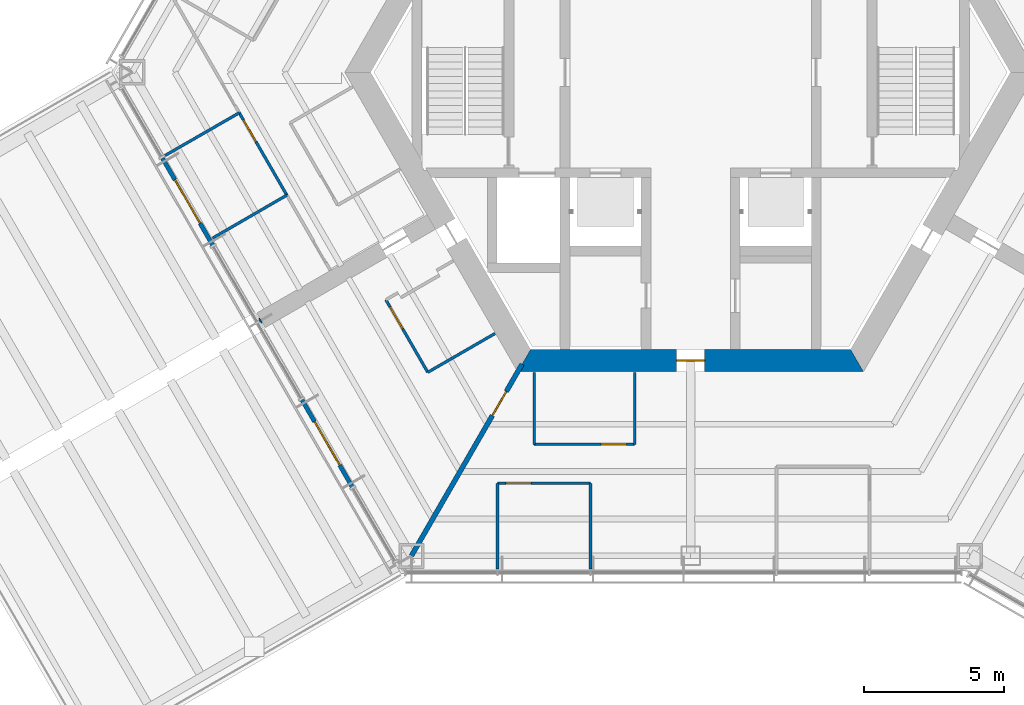
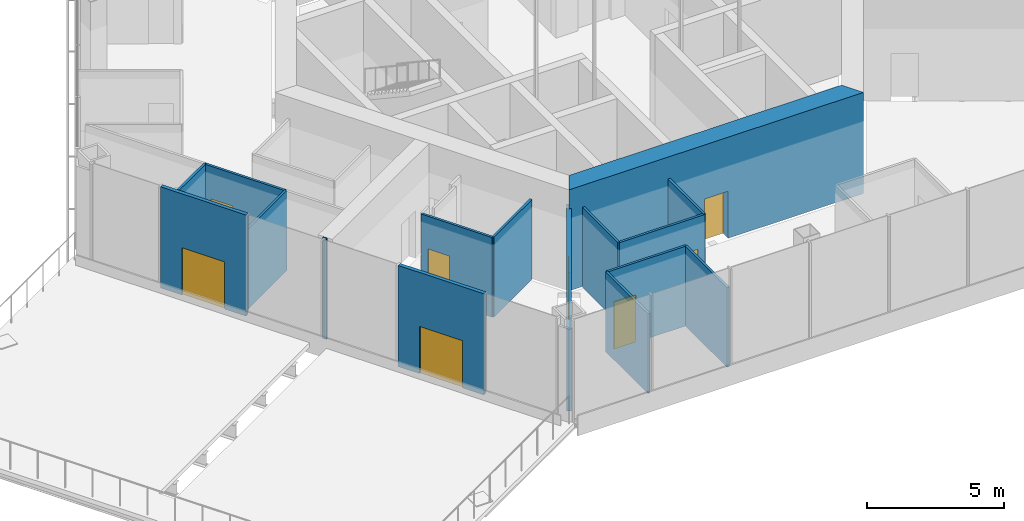
# One storey, part 8 of 17: 16 walls, 8 doors, 8 openings.
"""IFC4 building model written with IfcOpenShell, lengths in metres."""

from ifc_helpers import new_model, si_unit, direction, frame, frame_2d, origin, place, context, subcontext, project, spatial, polyline, rectangle, outline, extrude, material, layer, layer_set, type_object, element, fill, save


model = new_model("IFC4")

# Units and contexts
model_context = context("Model", 3, precision=1e-05, world=origin(), true_north=direction((0.0, 1.0)))
body_context = subcontext(model_context, "Body", "Model", "MODEL_VIEW")
ifc_project = project(units=[si_unit("LENGTHUNIT", "METRE"), si_unit("AREAUNIT", "SQUARE_METRE"), si_unit("VOLUMEUNIT", "CUBIC_METRE"), si_unit("PLANEANGLEUNIT", "RADIAN"), si_unit("MASSUNIT", "GRAM", prefix="KILO")], contexts=[model_context])

# Site, building, storey
site_placement = place(None, origin())
site = spatial("IfcSite", under=ifc_project, at=site_placement, CompositionType="ELEMENT")
building_placement = place(site_placement, origin())
building = spatial("IfcBuilding", under=site, at=building_placement, Name="Kasaneha Research Tower", CompositionType="ELEMENT")
storey_placement = place(building_placement, frame((0.0, 0.0, 208.300048828125)))
storey = spatial("IfcBuildingStorey", under=building, at=storey_placement, Name="L52", CompositionType="ELEMENT", Elevation=208.300048828125)

# Wall, opening, door
ifc_material_1 = material(Name="Concrete Fc60", Category="concrete")
ifc_layer_1 = layer(ifc_material_1, 0.800048828125)
ifc_layer_set_1 = layer_set([ifc_layer_1], Name="Core wall 800 Fc60")
wall_type_1 = type_object("IfcWallType", Name="Core wall 800 Fc60", PredefinedType="SHEAR", material=ifc_layer_set_1)
wall_1_placement = place(storey_placement, frame((-5.961181640625, -10.324951171875, 0.0), z_axis=(0.0, 0.0, 1.0), x_axis=(1.0, 0.0, 0.0)))
wall_1 = element("IfcWall", 1, at=wall_1_placement, inside=storey, type_object=wall_type_1, Name="Core wall 270 L52", PredefinedType="SHEAR", context=body_context, shape_type="SweptSolid", body=[
    extrude(outline(polyline([(-0.23095703125, -0.39990234375), (5.461181640625, -0.39990234375), (6.461181640625, -0.39990234375), (12.1533203125, -0.39990234375), (11.69140625, 0.39990234375), (6.461181640625, 0.39990234375), (5.461181640625, 0.39990234375), (0.23095703125, 0.39990234375), (-0.23095703125, -0.39990234375)])), origin(), (0.0, 0.0, 1.0), 4.5),
])
opening_1_placement = place(wall_1_placement, frame((5.461181640625, 0.0, 0.0)))
opening_1 = element("IfcOpeningElement", 2, at=opening_1_placement, cuts=wall_1, Name="Opening L52-D03", PredefinedType="OPENING", context=body_context, shape_type="SweptSolid", body=[
    extrude(rectangle(XDim=1.0, YDim=2.10009765625, at=frame_2d((0.5, 1.050048828125))), frame((0.0, 0.41015625, 0.0), z_axis=(0.0, -1.0, 0.0), x_axis=(1.0, 0.0, 0.0)), (0.0, 0.0, 1.0), 0.820068359375),
])
ifc_material_2 = material(Name="Steel", Category="steel")
door_type_1 = type_object("IfcDoorType", Name="Fire door FD20 1000x2100", OperationType="NOTDEFINED", PredefinedType="DOOR", material=ifc_material_2)
door_1_placement = place(opening_1_placement, origin())
door_1 = element("IfcDoor", 3, at=door_1_placement, inside=storey, type_object=door_type_1, Name="Core door south L52-D03", OperationType="SINGLE_SWING_LEFT", OverallHeight=2.10009765625, OverallWidth=1.0, PredefinedType="DOOR", context=body_context, shape_type="SweptSolid", body=[
    extrude(rectangle(XDim=1.0, YDim=2.10009765625, at=frame_2d((0.5, 1.050048828125))), frame((0.0, 0.02490234375, 0.0), z_axis=(0.0, -1.0, 0.0), x_axis=(1.0, 0.0, 0.0)), (0.0, 0.0, 1.0), 0.050048828125),
])
fill(opening_1, door_1)

ifc_material_3 = material(Name="Glass and aluminium", Category="aluminium")
ifc_layer_2 = layer(ifc_material_3, 0.14990234375)
ifc_layer_set_2 = layer_set([ifc_layer_2], Name="Glazed entrance screen 150")
wall_type_2 = type_object("IfcWallType", Name="Glazed entrance screen 150", PredefinedType="STANDARD", material=ifc_layer_set_2)
wall_2_placement = place(storey_placement, frame((-18.919677734375, -3.0712890625, 0.0), z_axis=(0.0, 0.0, 1.0), x_axis=(0.500012057535, -0.866018442252, 0.0)))
wall_2 = element("IfcWall", 4, at=wall_2_placement, inside=storey, type_object=wall_type_2, Name="Glazed entrance screen L52", PredefinedType="STANDARD", context=body_context, shape_type="SweptSolid", body=[
    extrude(rectangle(XDim=3.60009765625, YDim=0.14990234375, at=frame_2d((1.800048828125, 0.0))), origin(), (0.0, 0.0, 1.0), 4.5),
])
opening_2_placement = place(wall_2_placement, frame((0.89990234375, 0.0, 0.0)))
opening_2 = element("IfcOpeningElement", 5, at=opening_2_placement, cuts=wall_2, Name="Opening L52-ED10", PredefinedType="OPENING", context=body_context, shape_type="SweptSolid", body=[
    extrude(rectangle(XDim=1.800048828125, YDim=2.10009765625, at=frame_2d((0.89990234375, 1.050048828125))), frame((0.0, 0.0849609375, 0.0), z_axis=(0.0, -1.0, 0.0), x_axis=(1.0, 0.0, 0.0)), (0.0, 0.0, 1.0), 0.169921875),
])
ifc_material_4 = material(Name="Glass and aluminium", Category="aluminium")
door_type_2 = type_object("IfcDoorType", Name="Terrace door 1800x2100", OperationType="DOUBLE_DOOR_SINGLE_SWING", PredefinedType="DOOR", material=ifc_material_4)
door_2_placement = place(opening_2_placement, origin())
door_2 = element("IfcDoor", 6, at=door_2_placement, inside=storey, type_object=door_type_2, Name="Terrace door L52-ED10", OperationType="DOUBLE_DOOR_SINGLE_SWING", OverallHeight=2.10009765625, OverallWidth=1.800048828125, PredefinedType="DOOR", context=body_context, shape_type="SweptSolid", body=[
    extrude(rectangle(XDim=1.800048828125, YDim=2.10009765625, at=frame_2d((0.89990234375, 1.050048828125))), frame((0.0, 0.02490234375, 0.0), z_axis=(0.0, -1.0, 0.0), x_axis=(1.0, 0.0, 0.0)), (0.0, 0.0, 1.0), 0.050048828125),
])
fill(opening_2, door_2)

wall_3_placement = place(storey_placement, frame((-13.919677734375, -11.7314453125, 0.0), z_axis=(0.0, 0.0, 1.0), x_axis=(0.500012057535, -0.866018442252, 0.0)))
wall_3 = element("IfcWall", 7, at=wall_3_placement, inside=storey, type_object=wall_type_2, Name="Glazed entrance screen L52", PredefinedType="STANDARD", context=body_context, shape_type="SweptSolid", body=[
    extrude(rectangle(XDim=3.60009765625, YDim=0.14990234375, at=frame_2d((1.800048828125, 0.0))), origin(), (0.0, 0.0, 1.0), 4.5),
])
opening_3_placement = place(wall_3_placement, frame((0.89990234375, 0.0, 0.0)))
opening_3 = element("IfcOpeningElement", 8, at=opening_3_placement, cuts=wall_3, Name="Opening L52-ED11", PredefinedType="OPENING", context=body_context, shape_type="SweptSolid", body=[
    extrude(rectangle(XDim=1.800048828125, YDim=2.10009765625, at=frame_2d((0.89990234375, 1.050048828125))), frame((0.0, 0.0849609375, 0.0), z_axis=(0.0, -1.0, 0.0), x_axis=(1.0, 0.0, 0.0)), (0.0, 0.0, 1.0), 0.169921875),
])
door_3_placement = place(opening_3_placement, origin())
door_3 = element("IfcDoor", 9, at=door_3_placement, inside=storey, type_object=door_type_2, Name="Terrace door L52-ED11", OperationType="DOUBLE_DOOR_SINGLE_SWING", OverallHeight=2.10009765625, OverallWidth=1.800048828125, PredefinedType="DOOR", context=body_context, shape_type="SweptSolid", body=[
    extrude(rectangle(XDim=1.800048828125, YDim=2.10009765625, at=frame_2d((0.89990234375, 1.050048828125))), frame((0.0, 0.02490234375, 0.0), z_axis=(0.0, -1.0, 0.0), x_axis=(1.0, 0.0, 0.0)), (0.0, 0.0, 1.0), 0.050048828125),
])
fill(opening_3, door_3)

# Walls
ifc_material_5 = material(Name="Gypsum board on steel studs, one layer each side", Category="steel")
ifc_layer_3 = layer(ifc_material_5, 0.10009765625)
ifc_layer_set_3 = layer_set([ifc_layer_3], Name="Office partition 100")
wall_type_3 = type_object("IfcWallType", Name="Office partition 100", PredefinedType="PARTITIONING", material=ifc_layer_set_3)
wall_4_placement = place(storey_placement, frame((-14.45849609375, -4.39794921875, 0.0), z_axis=(0.0, 0.0, 1.0), x_axis=(-0.865192832628, -0.501439290811, 0.0)))
element("IfcWall", 10, at=wall_4_placement, inside=storey, type_object=wall_type_3, Name="Office partition FBN10 L52", PredefinedType="PARTITIONING", context=body_context, shape_type="SweptSolid", body=[
    extrude(rectangle(XDim=3.080078125, YDim=0.10009765625, at=frame_2d((1.5400390625, 0.0))), origin(), (0.0, 0.0, 1.0), 3.550048828125),
])
wall_5_placement = place(storey_placement, frame((-18.822509765625, -2.9794921875, 0.0), z_axis=(0.0, 0.0, 1.0), x_axis=(0.866820377992, 0.498620529359, 0.0)))
element("IfcWall", 11, at=wall_5_placement, inside=storey, type_object=wall_type_3, Name="Office partition FBN11 L52", PredefinedType="PARTITIONING", context=body_context, shape_type="SweptSolid", body=[
    extrude(rectangle(XDim=3.070068359375, YDim=0.10009765625, at=frame_2d((1.53515625, 0.0))), origin(), (0.0, 0.0, 1.0), 3.550048828125),
])

# Wall, opening, door
wall_6_placement = place(storey_placement, frame((-16.16748046875, -1.446533203125, 0.0), z_axis=(0.0, 0.0, 1.0), x_axis=(0.499990572262, -0.866030846823, 0.0)))
wall_6 = element("IfcWall", 12, at=wall_6_placement, inside=storey, type_object=wall_type_3, Name="Office partition FBN12 L52", PredefinedType="PARTITIONING", context=body_context, shape_type="SweptSolid", body=[
    extrude(rectangle(XDim=3.41552734375, YDim=0.10009765625, at=frame_2d((1.707763671875, 0.0))), origin(), (0.0, 0.0, 1.0), 3.550048828125),
])
opening_4_placement = place(wall_6_placement, frame((0.300048828125, 0.0, 0.0)))
opening_4 = element("IfcOpeningElement", 13, at=opening_4_placement, cuts=wall_6, Name="Opening L52-D34", PredefinedType="OPENING", context=body_context, shape_type="SweptSolid", body=[
    extrude(rectangle(XDim=0.89990234375, YDim=2.10009765625, at=frame_2d((0.449951171875, 1.050048828125))), frame((0.0, 0.06005859375, 0.0), z_axis=(0.0, -1.0, 0.0), x_axis=(1.0, 0.0, 0.0)), (0.0, 0.0, 1.0), 0.1201171875),
])
ifc_material_6 = material(Name="Timber veneer", Category="wood")
door_type_3 = type_object("IfcDoorType", Name="Office door 900x2100", OperationType="SINGLE_SWING_LEFT", PredefinedType="DOOR", material=ifc_material_6)
door_4_placement = place(opening_4_placement, origin())
door_4 = element("IfcDoor", 14, at=door_4_placement, inside=storey, type_object=door_type_3, Name="Workroom door L52-D34", OperationType="SINGLE_SWING_LEFT", OverallHeight=2.10009765625, OverallWidth=0.89990234375, PredefinedType="DOOR", context=body_context, shape_type="SweptSolid", body=[
    extrude(rectangle(XDim=0.89990234375, YDim=2.10009765625, at=frame_2d((0.449951171875, 1.050048828125))), frame((0.0, 0.02490234375, 0.0), z_axis=(0.0, -1.0, 0.0), x_axis=(1.0, 0.0, 0.0)), (0.0, 0.0, 1.0), 0.050048828125),
])
fill(opening_4, door_4)

wall_7_placement = place(storey_placement, frame((-9.4130859375, -10.74609375, 0.0), z_axis=(0.0, 0.0, 1.0), x_axis=(-0.50002537861, 0.866010750942, 0.0)))
wall_7 = element("IfcWall", 15, at=wall_7_placement, inside=storey, type_object=wall_type_3, Name="Office partition FBS03 L52", PredefinedType="PARTITIONING", context=body_context, shape_type="SweptSolid", body=[
    extrude(rectangle(XDim=2.999755859375, YDim=0.10009765625, at=frame_2d((1.5, 0.0))), origin(), (0.0, 0.0, 1.0), 3.550048828125),
])
opening_5_placement = place(wall_7_placement, frame((1.800048828125, 0.0, 0.0)))
opening_5 = element("IfcOpeningElement", 16, at=opening_5_placement, cuts=wall_7, Name="Opening L52-D37", PredefinedType="OPENING", context=body_context, shape_type="SweptSolid", body=[
    extrude(rectangle(XDim=0.89990234375, YDim=2.10009765625, at=frame_2d((0.449951171875, 1.050048828125))), frame((0.0, 0.06005859375, 0.0), z_axis=(0.0, -1.0, 0.0), x_axis=(1.0, 0.0, 0.0)), (0.0, 0.0, 1.0), 0.1201171875),
])
door_5_placement = place(opening_5_placement, origin())
door_5 = element("IfcDoor", 17, at=door_5_placement, inside=storey, type_object=door_type_3, Name="Pantry door L52-D37", OperationType="SINGLE_SWING_RIGHT", OverallHeight=2.10009765625, OverallWidth=0.89990234375, PredefinedType="DOOR", context=body_context, shape_type="SweptSolid", body=[
    extrude(rectangle(XDim=0.89990234375, YDim=2.10009765625, at=frame_2d((0.449951171875, 1.050048828125))), frame((0.0, 0.02490234375, 0.0), z_axis=(0.0, -1.0, 0.0), x_axis=(1.0, 0.0, 0.0)), (0.0, 0.0, 1.0), 0.050048828125),
])
fill(opening_5, door_5)

# Walls
wall_8_placement = place(storey_placement, frame((-7.00537109375, -9.356201171875, 0.0), z_axis=(0.0, 0.0, 1.0), x_axis=(-0.866056901187, -0.49994544093, 0.0)))
element("IfcWall", 18, at=wall_8_placement, inside=storey, type_object=wall_type_3, Name="Office partition FBS05 L52", PredefinedType="PARTITIONING", context=body_context, shape_type="SweptSolid", body=[
    extrude(rectangle(XDim=2.780029296875, YDim=0.10009765625, at=frame_2d((1.39013671875, 0.0))), origin(), (0.0, 0.0, 1.0), 3.550048828125),
])
wall_9_placement = place(storey_placement, frame((-5.60009765625, -13.324951171875, 0.0), z_axis=(0.0, 0.0, 1.0), x_axis=(0.0, 1.0, 0.0)))
element("IfcWall", 19, at=wall_9_placement, inside=storey, type_object=wall_type_3, Name="Office partition FCS08 L52", PredefinedType="PARTITIONING", context=body_context, shape_type="SweptSolid", body=[
    extrude(rectangle(XDim=2.579833984375, YDim=0.10009765625, at=frame_2d((1.2900390625, 0.0))), origin(), (0.0, 0.0, 1.0), 3.550048828125),
])

# Wall, opening, door
wall_10_placement = place(storey_placement, frame((-2.0, -13.324951171875, 0.0), z_axis=(0.0, 0.0, 1.0), x_axis=(-1.0, 0.0, 0.0)))
wall_10 = element("IfcWall", 20, at=wall_10_placement, inside=storey, type_object=wall_type_3, Name="Office partition FCS09 L52", PredefinedType="PARTITIONING", context=body_context, shape_type="SweptSolid", body=[
    extrude(rectangle(XDim=3.60009765625, YDim=0.10009765625, at=frame_2d((1.800048828125, 0.0))), origin(), (0.0, 0.0, 1.0), 3.550048828125),
])
opening_6_placement = place(wall_10_placement, frame((0.300048828125, 0.0, 0.0)))
opening_6 = element("IfcOpeningElement", 21, at=opening_6_placement, cuts=wall_10, Name="Opening L52-D43", PredefinedType="OPENING", context=body_context, shape_type="SweptSolid", body=[
    extrude(rectangle(XDim=0.89990234375, YDim=2.10009765625, at=frame_2d((0.449951171875, 1.050048828125))), frame((0.0, 0.06005859375, 0.0), z_axis=(0.0, -1.0, 0.0), x_axis=(1.0, 0.0, 0.0)), (0.0, 0.0, 1.0), 0.1201171875),
])
door_6_placement = place(opening_6_placement, origin())
door_6 = element("IfcDoor", 22, at=door_6_placement, inside=storey, type_object=door_type_3, Name="Mail room door L52-D43", OperationType="SINGLE_SWING_LEFT", OverallHeight=2.10009765625, OverallWidth=0.89990234375, PredefinedType="DOOR", context=body_context, shape_type="SweptSolid", body=[
    extrude(rectangle(XDim=0.89990234375, YDim=2.10009765625, at=frame_2d((0.449951171875, 1.050048828125))), frame((0.0, 0.02490234375, 0.0), z_axis=(0.0, -1.0, 0.0), x_axis=(1.0, 0.0, 0.0)), (0.0, 0.0, 1.0), 0.050048828125),
])
fill(opening_6, door_6)

# Walls
wall_11_placement = place(storey_placement, frame((-2.0, -10.7451171875, 0.0), z_axis=(0.0, 0.0, 1.0), x_axis=(0.0, -1.0, 0.0)))
element("IfcWall", 23, at=wall_11_placement, inside=storey, type_object=wall_type_3, Name="Office partition FCS10 L52", PredefinedType="PARTITIONING", context=body_context, shape_type="SweptSolid", body=[
    extrude(rectangle(XDim=2.579833984375, YDim=0.10009765625, at=frame_2d((1.2900390625, 0.0))), origin(), (0.0, 0.0, 1.0), 3.550048828125),
])
wall_12_placement = place(storey_placement, frame((-6.91552734375, -17.800537109375, 0.0), z_axis=(0.0, 0.0, 1.0), x_axis=(0.0, 1.0, 0.0)))
element("IfcWall", 24, at=wall_12_placement, inside=storey, type_object=wall_type_3, Name="Office partition FCS11 L52", PredefinedType="PARTITIONING", context=body_context, shape_type="SweptSolid", body=[
    extrude(rectangle(XDim=3.080078125, YDim=0.10009765625, at=frame_2d((1.5400390625, 0.0))), origin(), (0.0, 0.0, 1.0), 3.550048828125),
])

# Wall, opening, door
wall_13_placement = place(storey_placement, frame((-6.91552734375, -14.720458984375, 0.0), z_axis=(0.0, 0.0, 1.0), x_axis=(1.0, 0.0, 0.0)))
wall_13 = element("IfcWall", 25, at=wall_13_placement, inside=storey, type_object=wall_type_3, Name="Office partition FCS12 L52", PredefinedType="PARTITIONING", context=body_context, shape_type="SweptSolid", body=[
    extrude(rectangle(XDim=3.3310546875, YDim=0.10009765625, at=frame_2d((1.66552734375, 0.0))), origin(), (0.0, 0.0, 1.0), 3.550048828125),
])
opening_7_placement = place(wall_13_placement, frame((0.300048828125, 0.0, 0.0)))
opening_7 = element("IfcOpeningElement", 26, at=opening_7_placement, cuts=wall_13, Name="Opening L52-D44", PredefinedType="OPENING", context=body_context, shape_type="SweptSolid", body=[
    extrude(rectangle(XDim=0.89990234375, YDim=2.10009765625, at=frame_2d((0.449951171875, 1.050048828125))), frame((0.0, 0.06005859375, 0.0), z_axis=(0.0, -1.0, 0.0), x_axis=(1.0, 0.0, 0.0)), (0.0, 0.0, 1.0), 0.1201171875),
])
door_7_placement = place(opening_7_placement, origin())
door_7 = element("IfcDoor", 27, at=door_7_placement, inside=storey, type_object=door_type_3, Name="Phone room door L52-D44", OperationType="SINGLE_SWING_LEFT", OverallHeight=2.10009765625, OverallWidth=0.89990234375, PredefinedType="DOOR", context=body_context, shape_type="SweptSolid", body=[
    extrude(rectangle(XDim=0.89990234375, YDim=2.10009765625, at=frame_2d((0.449951171875, 1.050048828125))), frame((0.0, 0.02490234375, 0.0), z_axis=(0.0, -1.0, 0.0), x_axis=(1.0, 0.0, 0.0)), (0.0, 0.0, 1.0), 0.050048828125),
])
fill(opening_7, door_7)

# Wall
wall_14_placement = place(storey_placement, frame((-3.58447265625, -14.720458984375, 0.0), z_axis=(0.0, 0.0, 1.0), x_axis=(0.0, -1.0, 0.0)))
element("IfcWall", 28, at=wall_14_placement, inside=storey, type_object=wall_type_3, Name="Office partition FCS13 L52", PredefinedType="PARTITIONING", context=body_context, shape_type="SweptSolid", body=[
    extrude(rectangle(XDim=3.080078125, YDim=0.10009765625, at=frame_2d((1.5400390625, 0.0))), origin(), (0.0, 0.0, 1.0), 3.550048828125),
])

# Wall, opening, door
ifc_material_7 = material(Name="Gypsum board on steel studs, two layers each side", Category="steel")
ifc_layer_4 = layer(ifc_material_7, 0.175048828125)
ifc_layer_set_4 = layer_set([ifc_layer_4], Name="Tenancy fire partition 175")
wall_type_4 = type_object("IfcWallType", Name="Tenancy fire partition 175", PredefinedType="PARTITIONING", material=ifc_layer_set_4)
wall_15_placement = place(storey_placement, frame((-6.034912109375, -10.45263671875, 0.0), z_axis=(0.0, 0.0, 1.0), x_axis=(-0.499989830942, -0.866031274813, 0.0)))
wall_15 = element("IfcWall", 29, at=wall_15_placement, inside=storey, type_object=wall_type_4, Name="Tenancy fire partition T240 L52", PredefinedType="PARTITIONING", context=body_context, shape_type="SweptSolid", body=[
    extrude(rectangle(XDim=7.930419921875, YDim=0.175048828125, at=frame_2d((3.96533203125, 0.0))), origin(), (0.0, 0.0, 1.0), 3.64990234375),
])
opening_8_placement = place(wall_15_placement, frame((1.1298828125, 0.0, 0.0)))
opening_8 = element("IfcOpeningElement", 30, at=opening_8_placement, cuts=wall_15, Name="Opening L52-D26", PredefinedType="OPENING", context=body_context, shape_type="SweptSolid", body=[
    extrude(rectangle(XDim=1.0, YDim=2.10009765625, at=frame_2d((0.5, 1.050048828125))), frame((0.0, 0.09765625, 0.0), z_axis=(0.0, -1.0, 0.0), x_axis=(1.0, 0.0, 0.0)), (0.0, 0.0, 1.0), 0.195068359375),
])
ifc_material_8 = material(Name="Steel", Category="steel")
door_type_4 = type_object("IfcDoorType", Name="Suite entrance door FD60 1000x2100", OperationType="NOTDEFINED", PredefinedType="DOOR", material=ifc_material_8)
door_8_placement = place(opening_8_placement, origin())
door_8 = element("IfcDoor", 31, at=door_8_placement, inside=storey, type_object=door_type_4, Name="Connecting door L52-D26", OperationType="SINGLE_SWING_LEFT", OverallHeight=2.10009765625, OverallWidth=1.0, PredefinedType="DOOR", context=body_context, shape_type="SweptSolid", body=[
    extrude(rectangle(XDim=1.0, YDim=2.10009765625, at=frame_2d((0.5, 1.050048828125))), frame((0.0, 0.02490234375, 0.0), z_axis=(0.0, -1.0, 0.0), x_axis=(1.0, 0.0, 0.0)), (0.0, 0.0, 1.0), 0.050048828125),
])
fill(opening_8, door_8)

# Wall
wall_16_placement = place(storey_placement, frame((-15.3896484375, -8.88525390625, 0.0), z_axis=(0.0, 0.0, 1.0), x_axis=(-0.866906303058, -0.498471124258, 0.0)))
element("IfcWall", 32, at=wall_16_placement, inside=storey, type_object=wall_type_4, Name="Spine wall closer SW4-600 L52", PredefinedType="PARTITIONING", context=body_context, shape_type="SweptSolid", body=[
    extrude(rectangle(XDim=0.045166015625, YDim=0.175048828125, at=frame_2d((0.0224609375, 0.0))), origin(), (0.0, 0.0, 1.0), 4.5),
])

save(model, "model.ifc")
